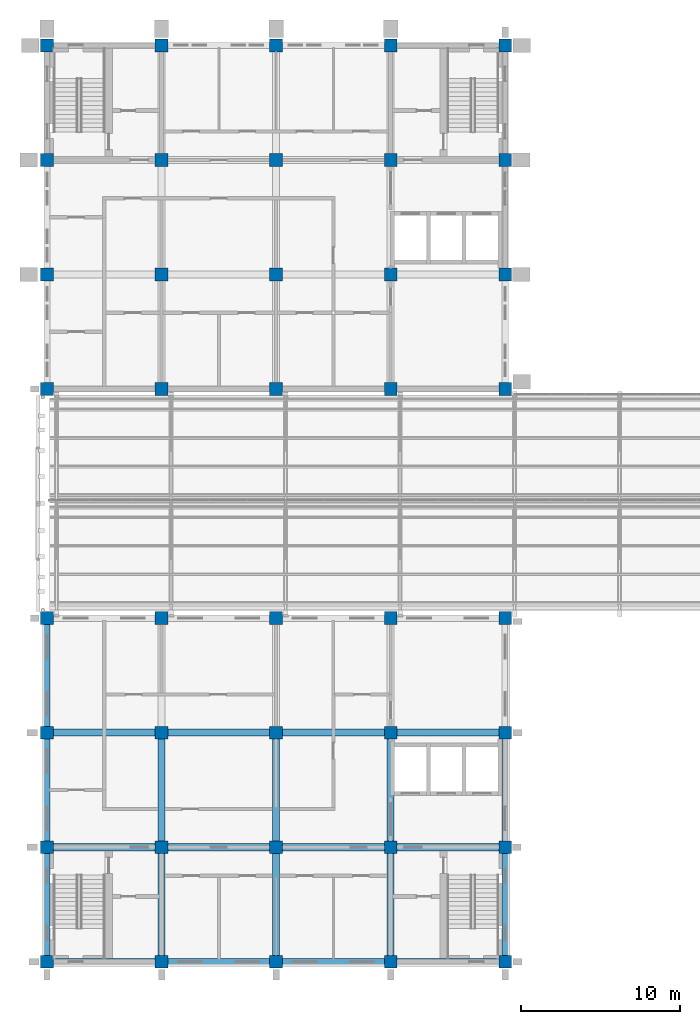
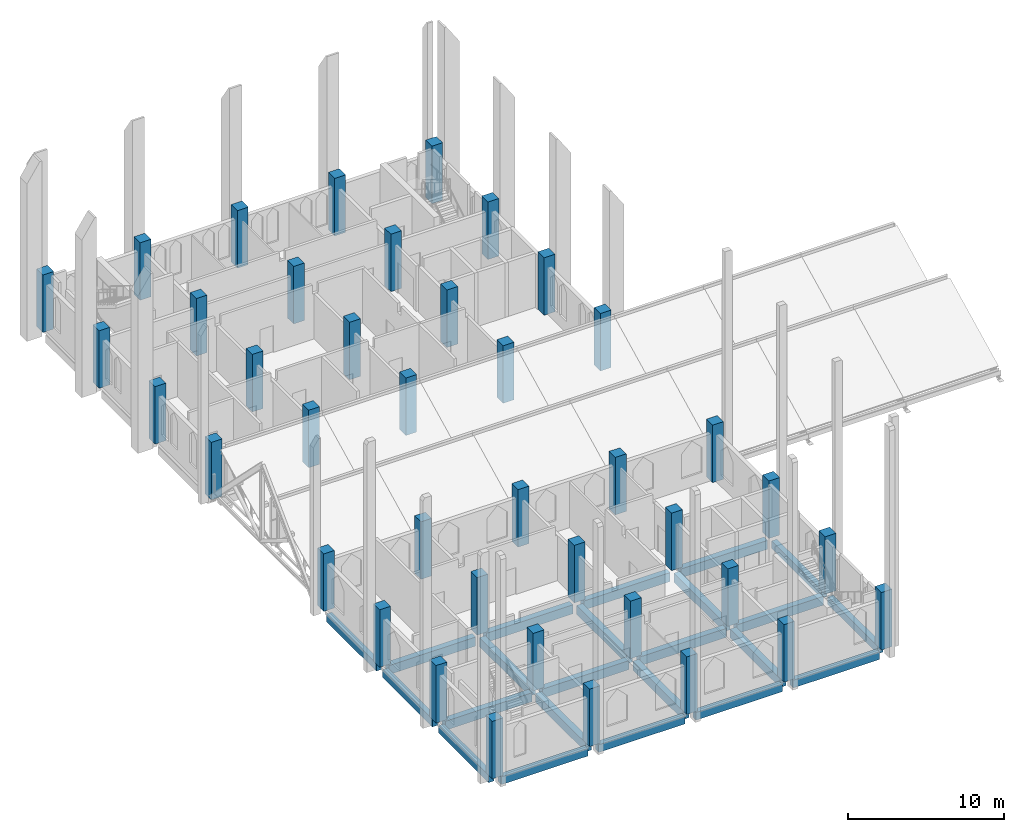
# One storey, part 1 of 29: 40 columns, 23 beams.
"""IFC4 building model written with IfcOpenShell, lengths in metres."""

from ifc_helpers import new_model, si_unit, direction, frame, origin, origin_2d, place, context, subcontext, project, spatial, rectangle, extrude, material, material_profile, profile_set, type_object, element, save


model = new_model("IFC4")

# Units and contexts
model_context = context("Model", 3, precision=1e-05, world=origin(), true_north=direction((0.0, 1.0)))
body_context = subcontext(model_context, "Body", "Model", "MODEL_VIEW")
ifc_project = project(units=[si_unit("LENGTHUNIT", "METRE"), si_unit("AREAUNIT", "SQUARE_METRE"), si_unit("VOLUMEUNIT", "CUBIC_METRE"), si_unit("PLANEANGLEUNIT", "RADIAN"), si_unit("MASSUNIT", "GRAM", prefix="KILO")], contexts=[model_context])

# Site, building, storey
site_placement = place(None, origin())
site = spatial("IfcSite", under=ifc_project, at=site_placement, CompositionType="ELEMENT")
building_placement = place(site_placement, origin())
building = spatial("IfcBuilding", under=site, at=building_placement, Name="Silangan Lancet Faculty of Sciences", CompositionType="ELEMENT")
storey_placement = place(building_placement, frame((0.0, 0.0, 40.800048828125)))
storey = spatial("IfcBuildingStorey", under=building, at=storey_placement, Name="L08", CompositionType="ELEMENT", Elevation=40.800048828125)

# Columns
ifc_material_1 = material(Name="Concrete C40/50", Category="concrete")
ifc_material_profile_1 = material_profile(ifc_material_1, rectangle(XDim=0.800048828125, YDim=0.800048828125, at=origin_2d()), Name="RC 800x800")
ifc_profile_set_1 = profile_set([ifc_material_profile_1], Name="Concrete C40/50")
column_type = type_object("IfcColumnType", Name="COLUMN RC 800x800", PredefinedType="COLUMN", material=ifc_profile_set_1)
for number, where, z_axis, x_axis, name in (
    (1, (0.0, 0.0, 0.0), (0.0, 0.0, 1.0), (1.0, 0.0, 0.0), "COL-L08-1A"),
    (2, (0.0, 7.199951171875, 0.0), (0.0, 0.0, 1.0), (1.0, 0.0, 0.0), "COL-L08-1B"),
    (3, (0.0, 14.39990234375, 0.0), (0.0, 0.0, 1.0), (1.0, 0.0, 0.0), "COL-L08-1C"),
    (4, (0.0, 21.60009765625, 0.0), (0.0, 0.0, 1.0), (1.0, 0.0, 0.0), "COL-L08-1D"),
    (5, (0.0, 36.0, 0.0), (0.0, 0.0, 1.0), (1.0, 0.0, 0.0), "COL-L08-1F"),
    (6, (0.0, 43.199951171875, 0.0), (0.0, 0.0, 1.0), (1.0, 0.0, 0.0), "COL-L08-1G"),
    (7, (0.0, 50.39990234375, 0.0), (0.0, 0.0, 1.0), (1.0, 0.0, 0.0), "COL-L08-1H"),
    (8, (0.0, 57.60009765625, 0.0), (0.0, 0.0, 1.0), (1.0, 0.0, 0.0), "COL-L08-1I"),
    (9, (7.199951171875, 0.0, 0.0), (0.0, 0.0, 1.0), (1.0, 0.0, 0.0), "COL-L08-2A"),
    (10, (7.199951171875, 7.199951171875, 0.0), (0.0, 0.0, 1.0), (1.0, 0.0, 0.0), "COL-L08-2B"),
    (11, (7.199951171875, 14.39990234375, 0.0), (0.0, 0.0, 1.0), (1.0, 0.0, 0.0), "COL-L08-2C"),
    (12, (7.199951171875, 21.60009765625, 0.0), (0.0, 0.0, 1.0), (1.0, 0.0, 0.0), "COL-L08-2D"),
    (13, (7.199951171875, 36.0, 0.0), (0.0, 0.0, 1.0), (1.0, 0.0, 0.0), "COL-L08-2F"),
    (14, (7.199951171875, 43.199951171875, 0.0), (0.0, 0.0, 1.0), (1.0, 0.0, 0.0), "COL-L08-2G"),
    (15, (7.199951171875, 50.39990234375, 0.0), (0.0, 0.0, 1.0), (1.0, 0.0, 0.0), "COL-L08-2H"),
    (16, (7.199951171875, 57.60009765625, 0.0), (0.0, 0.0, 1.0), (1.0, 0.0, 0.0), "COL-L08-2I"),
    (17, (14.39990234375, 0.0, 0.0), (0.0, 0.0, 1.0), (1.0, 0.0, 0.0), "COL-L08-3A"),
    (18, (14.39990234375, 7.199951171875, 0.0), (0.0, 0.0, 1.0), (1.0, 0.0, 0.0), "COL-L08-3B"),
    (19, (14.39990234375, 14.39990234375, 0.0), (0.0, 0.0, 1.0), (1.0, 0.0, 0.0), "COL-L08-3C"),
    (20, (14.39990234375, 21.60009765625, 0.0), (0.0, 0.0, 1.0), (1.0, 0.0, 0.0), "COL-L08-3D"),
    (21, (14.39990234375, 36.0, 0.0), (0.0, 0.0, 1.0), (1.0, 0.0, 0.0), "COL-L08-3F"),
    (22, (14.39990234375, 43.199951171875, 0.0), (0.0, 0.0, 1.0), (1.0, 0.0, 0.0), "COL-L08-3G"),
    (23, (14.39990234375, 50.39990234375, 0.0), (0.0, 0.0, 1.0), (1.0, 0.0, 0.0), "COL-L08-3H"),
    (24, (14.39990234375, 57.60009765625, 0.0), (0.0, 0.0, 1.0), (1.0, 0.0, 0.0), "COL-L08-3I"),
    (25, (21.60009765625, 0.0, 0.0), (0.0, 0.0, 1.0), (1.0, 0.0, 0.0), "COL-L08-4A"),
    (26, (21.60009765625, 7.199951171875, 0.0), (0.0, 0.0, 1.0), (1.0, 0.0, 0.0), "COL-L08-4B"),
    (27, (21.60009765625, 14.39990234375, 0.0), (0.0, 0.0, 1.0), (1.0, 0.0, 0.0), "COL-L08-4C"),
    (28, (21.60009765625, 21.60009765625, 0.0), (0.0, 0.0, 1.0), (1.0, 0.0, 0.0), "COL-L08-4D"),
    (29, (21.60009765625, 36.0, 0.0), (0.0, 0.0, 1.0), (1.0, 0.0, 0.0), "COL-L08-4F"),
    (30, (21.60009765625, 43.199951171875, 0.0), (0.0, 0.0, 1.0), (1.0, 0.0, 0.0), "COL-L08-4G"),
    (31, (21.60009765625, 50.39990234375, 0.0), (0.0, 0.0, 1.0), (1.0, 0.0, 0.0), "COL-L08-4H"),
    (32, (21.60009765625, 57.60009765625, 0.0), (0.0, 0.0, 1.0), (1.0, 0.0, 0.0), "COL-L08-4I"),
    (33, (28.800048828125, 0.0, 0.0), (0.0, 0.0, 1.0), (1.0, 0.0, 0.0), "COL-L08-5A"),
    (34, (28.800048828125, 7.199951171875, 0.0), (0.0, 0.0, 1.0), (1.0, 0.0, 0.0), "COL-L08-5B"),
    (35, (28.800048828125, 14.39990234375, 0.0), (0.0, 0.0, 1.0), (1.0, 0.0, 0.0), "COL-L08-5C"),
    (36, (28.800048828125, 21.60009765625, 0.0), (0.0, 0.0, 1.0), (1.0, 0.0, 0.0), "COL-L08-5D"),
    (37, (28.800048828125, 36.0, 0.0), (0.0, 0.0, 1.0), (1.0, 0.0, 0.0), "COL-L08-5F"),
    (38, (28.800048828125, 43.199951171875, 0.0), (0.0, 0.0, 1.0), (1.0, 0.0, 0.0), "COL-L08-5G"),
    (39, (28.800048828125, 50.39990234375, 0.0), (0.0, 0.0, 1.0), (1.0, 0.0, 0.0), "COL-L08-5H"),
    (40, (28.800048828125, 57.60009765625, 0.0), (0.0, 0.0, 1.0), (1.0, 0.0, 0.0), "COL-L08-5I"),
):
    element("IfcColumn", number, at=place(storey_placement, frame(where, z_axis=z_axis, x_axis=x_axis)), inside=storey, type_object=column_type, Name=name, PredefinedType="COLUMN", context=body_context, shape_type="SweptSolid", body=[
        extrude(rectangle(XDim=0.800048828125, YDim=0.800048828125, at=origin_2d()), origin(), (0.0, 0.0, 1.0), 4.5),
    ])

# Beams
ifc_material_2 = material(Name="Concrete C40/50", Category="concrete")
ifc_material_profile_2 = material_profile(ifc_material_2, rectangle(XDim=0.39990234375, YDim=0.60009765625, at=origin_2d()), Name="RC 400x600")
ifc_profile_set_2 = profile_set([ifc_material_profile_2], Name="Concrete C40/50")
beam_type_1 = type_object("IfcBeamType", Name="BEAM RC 400x600", PredefinedType="BEAM", material=ifc_profile_set_2)
beam_1_placement = place(storey_placement, frame((0.39990234375, 0.0, -0.550048828125), z_axis=(1.0, 0.0, 0.0), x_axis=(0.0, 1.0, 0.0)))
element("IfcBeam", 41, at=beam_1_placement, inside=storey, type_object=beam_type_1, Name="BM-L08-1A-2A", PredefinedType="BEAM", context=body_context, shape_type="SweptSolid", body=[
    extrude(rectangle(XDim=0.39990234375, YDim=0.60009765625, at=origin_2d()), origin(), (0.0, 0.0, 1.0), 6.400146484375),
])
for number, where, z_axis, x_axis, name in (
    (42, (7.60009765625, 0.0, -0.550048828125), (1.0, 0.0, 0.0), (0.0, 1.0, 0.0), "BM-L08-2A-3A"),
    (43, (14.800048828125, 0.0, -0.550048828125), (1.0, 0.0, 0.0), (0.0, 1.0, 0.0), "BM-L08-3A-4A"),
    (44, (22.0, 0.0, -0.550048828125), (1.0, 0.0, 0.0), (0.0, 1.0, 0.0), "BM-L08-4A-5A"),
):
    element("IfcBeam", number, at=place(storey_placement, frame(where, z_axis=z_axis, x_axis=x_axis)), inside=storey, type_object=beam_type_1, Name=name, PredefinedType="BEAM", context=body_context, shape_type="SweptSolid", body=[
        extrude(rectangle(XDim=0.39990234375, YDim=0.60009765625, at=origin_2d()), origin(), (0.0, 0.0, 1.0), 6.39990234375),
    ])
beam_2_placement = place(storey_placement, frame((0.0, 0.39990234375, -0.550048828125), z_axis=(0.0, 1.0, 0.0), x_axis=(-1.0, 0.0, 0.0)))
element("IfcBeam", 45, at=beam_2_placement, inside=storey, type_object=beam_type_1, Name="BM-L08-1A-1B", PredefinedType="BEAM", context=body_context, shape_type="SweptSolid", body=[
    extrude(rectangle(XDim=0.39990234375, YDim=0.60009765625, at=origin_2d()), origin(), (0.0, 0.0, 1.0), 6.400146484375),
])
for number, where, z_axis, x_axis, name in (
    (46, (0.0, 7.60009765625, -0.550048828125), (0.0, 1.0, 0.0), (-1.0, 0.0, 0.0), "BM-L08-1B-1C"),
    (47, (0.0, 14.800048828125, -0.550048828125), (0.0, 1.0, 0.0), (-1.0, 0.0, 0.0), "BM-L08-1C-1D"),
):
    element("IfcBeam", number, at=place(storey_placement, frame(where, z_axis=z_axis, x_axis=x_axis)), inside=storey, type_object=beam_type_1, Name=name, PredefinedType="BEAM", context=body_context, shape_type="SweptSolid", body=[
        extrude(rectangle(XDim=0.39990234375, YDim=0.60009765625, at=origin_2d()), origin(), (0.0, 0.0, 1.0), 6.39990234375),
    ])
beam_3_placement = place(storey_placement, frame((28.800048828125, 0.39990234375, -0.550048828125), z_axis=(0.0, 1.0, 0.0), x_axis=(-1.0, 0.0, 0.0)))
element("IfcBeam", 48, at=beam_3_placement, inside=storey, type_object=beam_type_1, Name="BM-L08-5A-5B", PredefinedType="BEAM", context=body_context, shape_type="SweptSolid", body=[
    extrude(rectangle(XDim=0.39990234375, YDim=0.60009765625, at=origin_2d()), origin(), (0.0, 0.0, 1.0), 6.400146484375),
])
beam_4_placement = place(storey_placement, frame((28.800048828125, 7.60009765625, -0.550048828125), z_axis=(0.0, 1.0, 0.0), x_axis=(-1.0, 0.0, 0.0)))
element("IfcBeam", 49, at=beam_4_placement, inside=storey, type_object=beam_type_1, Name="BM-L08-5B-5C", PredefinedType="BEAM", context=body_context, shape_type="SweptSolid", body=[
    extrude(rectangle(XDim=0.39990234375, YDim=0.60009765625, at=origin_2d()), origin(), (0.0, 0.0, 1.0), 6.39990234375),
])
ifc_material_3 = material(Name="Concrete C40/50", Category="concrete")
ifc_material_profile_3 = material_profile(ifc_material_3, rectangle(XDim=0.449951171875, YDim=0.699951171875, at=origin_2d()), Name="RC 450x700")
ifc_profile_set_3 = profile_set([ifc_material_profile_3], Name="Concrete C40/50")
beam_type_2 = type_object("IfcBeamType", Name="BEAM RC 450x700", PredefinedType="BEAM", material=ifc_profile_set_3)
beam_5_placement = place(storey_placement, frame((0.39990234375, 7.199951171875, -0.60009765625), z_axis=(1.0, 0.0, 0.0), x_axis=(0.0, 1.0, 0.0)))
element("IfcBeam", 50, at=beam_5_placement, inside=storey, type_object=beam_type_2, Name="BM-L08-1B-2B", PredefinedType="BEAM", context=body_context, shape_type="SweptSolid", body=[
    extrude(rectangle(XDim=0.449951171875, YDim=0.699951171875, at=origin_2d()), origin(), (0.0, 0.0, 1.0), 6.400146484375),
])
for number, where, z_axis, x_axis, name in (
    (51, (7.60009765625, 7.199951171875, -0.60009765625), (1.0, 0.0, 0.0), (0.0, 1.0, 0.0), "BM-L08-2B-3B"),
    (52, (14.800048828125, 7.199951171875, -0.60009765625), (1.0, 0.0, 0.0), (0.0, 1.0, 0.0), "BM-L08-3B-4B"),
    (53, (22.0, 7.199951171875, -0.60009765625), (1.0, 0.0, 0.0), (0.0, 1.0, 0.0), "BM-L08-4B-5B"),
):
    element("IfcBeam", number, at=place(storey_placement, frame(where, z_axis=z_axis, x_axis=x_axis)), inside=storey, type_object=beam_type_2, Name=name, PredefinedType="BEAM", context=body_context, shape_type="SweptSolid", body=[
        extrude(rectangle(XDim=0.449951171875, YDim=0.699951171875, at=origin_2d()), origin(), (0.0, 0.0, 1.0), 6.39990234375),
    ])
beam_6_placement = place(storey_placement, frame((0.39990234375, 14.39990234375, -0.60009765625), z_axis=(1.0, 0.0, 0.0), x_axis=(0.0, 1.0, 0.0)))
element("IfcBeam", 54, at=beam_6_placement, inside=storey, type_object=beam_type_2, Name="BM-L08-1C-2C", PredefinedType="BEAM", context=body_context, shape_type="SweptSolid", body=[
    extrude(rectangle(XDim=0.449951171875, YDim=0.699951171875, at=origin_2d()), origin(), (0.0, 0.0, 1.0), 6.400146484375),
])
for number, where, z_axis, x_axis, name in (
    (55, (7.60009765625, 14.39990234375, -0.60009765625), (1.0, 0.0, 0.0), (0.0, 1.0, 0.0), "BM-L08-2C-3C"),
    (56, (14.800048828125, 14.39990234375, -0.60009765625), (1.0, 0.0, 0.0), (0.0, 1.0, 0.0), "BM-L08-3C-4C"),
    (57, (22.0, 14.39990234375, -0.60009765625), (1.0, 0.0, 0.0), (0.0, 1.0, 0.0), "BM-L08-4C-5C"),
):
    element("IfcBeam", number, at=place(storey_placement, frame(where, z_axis=z_axis, x_axis=x_axis)), inside=storey, type_object=beam_type_2, Name=name, PredefinedType="BEAM", context=body_context, shape_type="SweptSolid", body=[
        extrude(rectangle(XDim=0.449951171875, YDim=0.699951171875, at=origin_2d()), origin(), (0.0, 0.0, 1.0), 6.39990234375),
    ])
beam_7_placement = place(storey_placement, frame((7.199951171875, 0.39990234375, -0.60009765625), z_axis=(0.0, 1.0, 0.0), x_axis=(-1.0, 0.0, 0.0)))
element("IfcBeam", 58, at=beam_7_placement, inside=storey, type_object=beam_type_2, Name="BM-L08-2A-2B", PredefinedType="BEAM", context=body_context, shape_type="SweptSolid", body=[
    extrude(rectangle(XDim=0.449951171875, YDim=0.699951171875, at=origin_2d()), origin(), (0.0, 0.0, 1.0), 6.400146484375),
])
beam_8_placement = place(storey_placement, frame((7.199951171875, 7.60009765625, -0.60009765625), z_axis=(0.0, 1.0, 0.0), x_axis=(-1.0, 0.0, 0.0)))
element("IfcBeam", 59, at=beam_8_placement, inside=storey, type_object=beam_type_2, Name="BM-L08-2B-2C", PredefinedType="BEAM", context=body_context, shape_type="SweptSolid", body=[
    extrude(rectangle(XDim=0.449951171875, YDim=0.699951171875, at=origin_2d()), origin(), (0.0, 0.0, 1.0), 6.39990234375),
])
beam_9_placement = place(storey_placement, frame((14.39990234375, 0.39990234375, -0.60009765625), z_axis=(0.0, 1.0, 0.0), x_axis=(-1.0, 0.0, 0.0)))
element("IfcBeam", 60, at=beam_9_placement, inside=storey, type_object=beam_type_2, Name="BM-L08-3A-3B", PredefinedType="BEAM", context=body_context, shape_type="SweptSolid", body=[
    extrude(rectangle(XDim=0.449951171875, YDim=0.699951171875, at=origin_2d()), origin(), (0.0, 0.0, 1.0), 6.400146484375),
])
beam_10_placement = place(storey_placement, frame((14.39990234375, 7.60009765625, -0.60009765625), z_axis=(0.0, 1.0, 0.0), x_axis=(-1.0, 0.0, 0.0)))
element("IfcBeam", 61, at=beam_10_placement, inside=storey, type_object=beam_type_2, Name="BM-L08-3B-3C", PredefinedType="BEAM", context=body_context, shape_type="SweptSolid", body=[
    extrude(rectangle(XDim=0.449951171875, YDim=0.699951171875, at=origin_2d()), origin(), (0.0, 0.0, 1.0), 6.39990234375),
])
beam_11_placement = place(storey_placement, frame((21.60009765625, 0.39990234375, -0.60009765625), z_axis=(0.0, 1.0, 0.0), x_axis=(-1.0, 0.0, 0.0)))
element("IfcBeam", 62, at=beam_11_placement, inside=storey, type_object=beam_type_2, Name="BM-L08-4A-4B", PredefinedType="BEAM", context=body_context, shape_type="SweptSolid", body=[
    extrude(rectangle(XDim=0.449951171875, YDim=0.699951171875, at=origin_2d()), origin(), (0.0, 0.0, 1.0), 6.400146484375),
])
beam_12_placement = place(storey_placement, frame((21.60009765625, 7.60009765625, -0.60009765625), z_axis=(0.0, 1.0, 0.0), x_axis=(-1.0, 0.0, 0.0)))
element("IfcBeam", 63, at=beam_12_placement, inside=storey, type_object=beam_type_2, Name="BM-L08-4B-4C", PredefinedType="BEAM", context=body_context, shape_type="SweptSolid", body=[
    extrude(rectangle(XDim=0.449951171875, YDim=0.699951171875, at=origin_2d()), origin(), (0.0, 0.0, 1.0), 6.39990234375),
])

save(model, "model.ifc")
